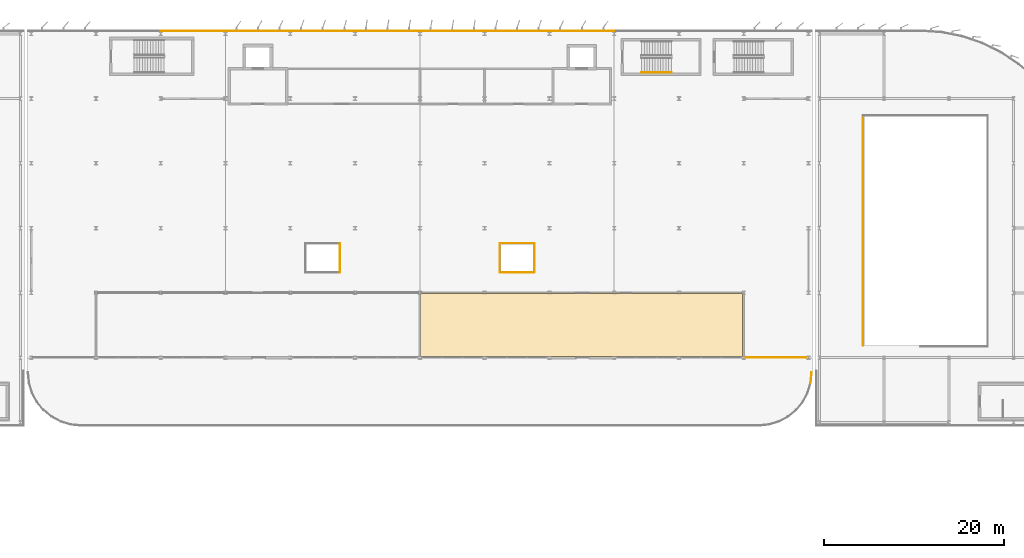
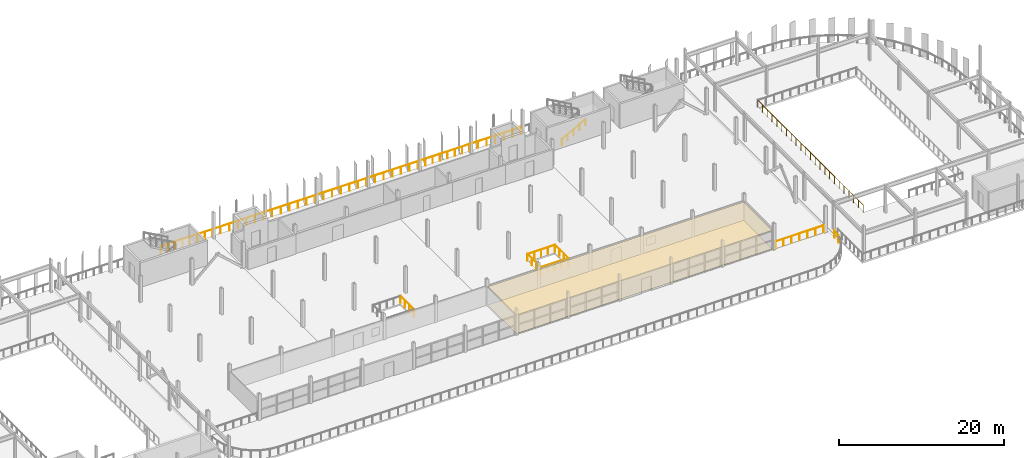
# One storey, part 38 of 40: 16 railings, 2 coverings.
"""IFC4 building model written with IfcOpenShell, lengths in metres."""

from ifc_helpers import new_model, si_unit, direction, frame, origin, origin_2d, place, context, subcontext, project, spatial, polyline, circle, outline, extrude, material, layer, layer_set, type_object, element, save


model = new_model("IFC4")

# Units and contexts
model_context = context("Model", 3, precision=1e-05, world=origin(), true_north=direction((0.0, 1.0)))
body_context = subcontext(model_context, "Body", "Model", "MODEL_VIEW")
ifc_project = project(units=[si_unit("LENGTHUNIT", "METRE"), si_unit("AREAUNIT", "SQUARE_METRE"), si_unit("VOLUMEUNIT", "CUBIC_METRE"), si_unit("PLANEANGLEUNIT", "RADIAN"), si_unit("MASSUNIT", "GRAM", prefix="KILO")], contexts=[model_context])

# Site, building, storey
site_placement = place(None, origin())
site = spatial("IfcSite", under=ifc_project, at=site_placement, CompositionType="ELEMENT")
building_placement = place(site_placement, origin())
building = spatial("IfcBuilding", under=site, at=building_placement, Name="Vaelcorin Mobility Hub", CompositionType="ELEMENT")
storey_placement = place(building_placement, frame((0.0, 0.0, 17.10009765625)))
storey = spatial("IfcBuildingStorey", under=building, at=storey_placement, Name="L04", CompositionType="ELEMENT", Elevation=17.10009765625)

# Coverings
ifc_material_1 = material(Name="Perforated acoustic mineral-fibre ceiling tile")
ifc_layer_1 = layer(ifc_material_1, 0.02392578125)
ifc_layer_set_1 = layer_set([ifc_layer_1], Name="Perforated acoustic mineral-fibre ceiling tile")
covering_type_1 = type_object("IfcCoveringType", Name="COV-CEIL-2", PredefinedType="CEILING", material=ifc_layer_set_1)
covering_1_placement = place(storey_placement, frame((0.0, 0.0, 2.712890625)))
element("IfcCovering", 1, at=covering_1_placement, inside=storey, type_object=covering_type_1, Name="Veranda Terrace Cafe Acoustic Ceiling", PredefinedType="CEILING", context=body_context, shape_type="SweptSolid", body=[
    extrude(outline(polyline([(79.340087890625, 84.139892578125), (79.333984375, 84.139892578125), (79.327880859375, 84.14111328125), (79.322998046875, 84.14306640625), (79.31689453125, 84.14501953125), (79.31201171875, 84.14697265625), (79.306884765625, 84.14990234375), (79.302001953125, 84.154052734375), (79.298095703125, 84.157958984375), (79.2939453125, 84.162109375), (79.2900390625, 84.1669921875), (79.287109375, 84.172119140625), (79.284912109375, 84.177001953125), (79.282958984375, 84.18310546875), (79.281005859375, 84.18798828125), (79.280029296875, 84.194091796875), (79.280029296875, 84.199951171875), (79.280029296875, 91.06005859375), (79.280029296875, 91.06591796875), (79.281005859375, 91.072021484375), (79.282958984375, 91.076904296875), (79.284912109375, 91.0830078125), (79.287109375, 91.087890625), (79.2900390625, 91.093017578125), (79.2939453125, 91.097900390625), (79.298095703125, 91.10205078125), (79.302001953125, 91.10595703125), (79.306884765625, 91.110107421875), (79.31201171875, 91.113037109375), (79.31689453125, 91.114990234375), (79.322998046875, 91.116943359375), (79.327880859375, 91.118896484375), (79.333984375, 91.1201171875), (79.340087890625, 91.1201171875), (115.0, 91.1201171875), (115.006103515625, 91.1201171875), (115.011962890625, 91.118896484375), (115.01708984375, 91.116943359375), (115.02294921875, 91.114990234375), (115.028076171875, 91.113037109375), (115.032958984375, 91.110107421875), (115.0380859375, 91.10595703125), (115.0419921875, 91.10205078125), (115.0458984375, 91.097900390625), (115.050048828125, 91.093017578125), (115.052978515625, 91.087890625), (115.054931640625, 91.0830078125), (115.056884765625, 91.076904296875), (115.05908203125, 91.072021484375), (115.06005859375, 91.06591796875), (115.06005859375, 91.06005859375), (115.06005859375, 84.199951171875), (115.06005859375, 84.194091796875), (115.05908203125, 84.18798828125), (115.056884765625, 84.18310546875), (115.054931640625, 84.177001953125), (115.052978515625, 84.172119140625), (115.050048828125, 84.1669921875), (115.0458984375, 84.162109375), (115.0419921875, 84.157958984375), (115.0380859375, 84.154052734375), (115.032958984375, 84.14990234375), (115.028076171875, 84.14697265625), (115.02294921875, 84.14501953125), (115.01708984375, 84.14306640625), (115.011962890625, 84.14111328125), (115.006103515625, 84.139892578125), (115.0, 84.139892578125), (79.340087890625, 84.139892578125)])), origin(), (0.0, 0.0, 1.0), 0.02392578125),
])
ifc_material_2 = material(Name="Polished epoxy-terrazzo concourse flooring")
ifc_layer_2 = layer(ifc_material_2, 0.02587890625)
ifc_layer_set_2 = layer_set([ifc_layer_2], Name="Polished epoxy-terrazzo concourse flooring")
covering_type_2 = type_object("IfcCoveringType", Name="COV-FLR-2", PredefinedType="FLOORING", material=ifc_layer_set_2)
covering_2_placement = place(storey_placement, origin())
element("IfcCovering", 2, at=covering_2_placement, inside=storey, type_object=covering_type_2, Name="Veranda Terrace Cafe Finish Flooring", PredefinedType="FLOORING", context=body_context, shape_type="SweptSolid", body=[
    extrude(outline(polyline([(79.340087890625, 84.139892578125), (79.333984375, 84.139892578125), (79.327880859375, 84.14111328125), (79.322998046875, 84.14306640625), (79.31689453125, 84.14501953125), (79.31201171875, 84.14697265625), (79.306884765625, 84.14990234375), (79.302001953125, 84.154052734375), (79.298095703125, 84.157958984375), (79.2939453125, 84.162109375), (79.2900390625, 84.1669921875), (79.287109375, 84.172119140625), (79.284912109375, 84.177001953125), (79.282958984375, 84.18310546875), (79.281005859375, 84.18798828125), (79.280029296875, 84.194091796875), (79.280029296875, 84.199951171875), (79.280029296875, 91.06005859375), (79.280029296875, 91.06591796875), (79.281005859375, 91.072021484375), (79.282958984375, 91.076904296875), (79.284912109375, 91.0830078125), (79.287109375, 91.087890625), (79.2900390625, 91.093017578125), (79.2939453125, 91.097900390625), (79.298095703125, 91.10205078125), (79.302001953125, 91.10595703125), (79.306884765625, 91.110107421875), (79.31201171875, 91.113037109375), (79.31689453125, 91.114990234375), (79.322998046875, 91.116943359375), (79.327880859375, 91.118896484375), (79.333984375, 91.1201171875), (79.340087890625, 91.1201171875), (115.0, 91.1201171875), (115.006103515625, 91.1201171875), (115.011962890625, 91.118896484375), (115.01708984375, 91.116943359375), (115.02294921875, 91.114990234375), (115.028076171875, 91.113037109375), (115.032958984375, 91.110107421875), (115.0380859375, 91.10595703125), (115.0419921875, 91.10205078125), (115.0458984375, 91.097900390625), (115.050048828125, 91.093017578125), (115.052978515625, 91.087890625), (115.054931640625, 91.0830078125), (115.056884765625, 91.076904296875), (115.05908203125, 91.072021484375), (115.06005859375, 91.06591796875), (115.06005859375, 91.06005859375), (115.06005859375, 84.199951171875), (115.06005859375, 84.194091796875), (115.05908203125, 84.18798828125), (115.056884765625, 84.18310546875), (115.054931640625, 84.177001953125), (115.052978515625, 84.172119140625), (115.050048828125, 84.1669921875), (115.0458984375, 84.162109375), (115.0419921875, 84.157958984375), (115.0380859375, 84.154052734375), (115.032958984375, 84.14990234375), (115.028076171875, 84.14697265625), (115.02294921875, 84.14501953125), (115.01708984375, 84.14306640625), (115.011962890625, 84.14111328125), (115.006103515625, 84.139892578125), (115.0, 84.139892578125), (79.340087890625, 84.139892578125)])), origin(), (0.0, 0.0, 1.0), 0.02587890625),
])

# Railings
ifc_material_3 = material(Name="Galvanised structural steel ASTM A36", Category="steel")
ifc_layer_3 = layer(ifc_material_3, 0.070068359375)
ifc_layer_set_3 = layer_set([ifc_layer_3], Name="Galvanised structural steel ASTM A36")
railing_type_1 = type_object("IfcRailingType", Name="RL-GUARD-1100", PredefinedType="BALUSTRADE", material=ifc_layer_set_3)
railing_1_placement = place(storey_placement, frame((50.39990234375, 120.330078125, 0.0)))
element("IfcRailing", 3, at=railing_1_placement, inside=storey, type_object=railing_type_1, Name="L04 Perimeter Guard GR-V4-L04-N-03-01", PredefinedType="BALUSTRADE", context=body_context, shape_type="SweptSolid", body=[
    extrude(circle(Radius=0.02392578125, at=origin_2d()), frame((0.0, 0.0, 1.076171875), z_axis=(1.0, 0.0, 0.0), x_axis=(0.0, 1.0, 0.0)), (0.0, 0.0, 1.0), 7.2001953125),
    extrude(circle(Radius=0.02099609375, at=origin_2d()), origin(), (0.0, 0.0, 1.0), 1.052001953125),
    extrude(circle(Radius=0.02099609375, at=origin_2d()), frame((1.028564453125, 0.0, 0.0)), (0.0, 0.0, 1.0), 1.052001953125),
    extrude(circle(Radius=0.02099609375, at=origin_2d()), frame((2.05712890625, 0.0, 0.0)), (0.0, 0.0, 1.0), 1.052001953125),
    extrude(circle(Radius=0.02099609375, at=origin_2d()), frame((3.085693359375, 0.0, 0.0)), (0.0, 0.0, 1.0), 1.052001953125),
    extrude(circle(Radius=0.02099609375, at=origin_2d()), frame((4.114501953125, 0.0, 0.0)), (0.0, 0.0, 1.0), 1.052001953125),
    extrude(circle(Radius=0.02099609375, at=origin_2d()), frame((5.14306640625, 0.0, 0.0)), (0.0, 0.0, 1.0), 1.052001953125),
    extrude(circle(Radius=0.02099609375, at=origin_2d()), frame((6.171630859375, 0.0, 0.0)), (0.0, 0.0, 1.0), 1.052001953125),
    extrude(circle(Radius=0.02099609375, at=origin_2d()), frame((7.2001953125, 0.0, 0.0)), (0.0, 0.0, 1.0), 1.052001953125),
])
for number, where, name in (
    (4, (57.60009765625, 120.330078125, 0.0), "L04 Perimeter Guard GR-V4-L04-N-04-01"),
    (5, (64.800048828125, 120.330078125, 0.0), "L04 Perimeter Guard GR-V4-L04-N-05-01"),
    (6, (72.0, 120.330078125, 0.0), "L04 Perimeter Guard GR-V4-L04-N-06-01"),
    (7, (79.199951171875, 120.330078125, 0.0), "L04 Perimeter Guard GR-V4-L04-N-07-01"),
):
    element("IfcRailing", number, at=place(storey_placement, frame(where)), inside=storey, type_object=railing_type_1, Name=name, PredefinedType="BALUSTRADE", context=body_context, shape_type="SweptSolid", body=[
        extrude(circle(Radius=0.02392578125, at=origin_2d()), frame((0.0, 0.0, 1.076171875), z_axis=(1.0, 0.0, 0.0), x_axis=(0.0, 1.0, 0.0)), (0.0, 0.0, 1.0), 7.199951171875),
        extrude(circle(Radius=0.02099609375, at=origin_2d()), origin(), (0.0, 0.0, 1.0), 1.052001953125),
        extrude(circle(Radius=0.02099609375, at=origin_2d()), frame((1.199951171875, 0.0, 0.0)), (0.0, 0.0, 1.0), 1.052001953125),
        extrude(circle(Radius=0.02099609375, at=origin_2d()), frame((2.39990234375, 0.0, 0.0)), (0.0, 0.0, 1.0), 1.052001953125),
        extrude(circle(Radius=0.02099609375, at=origin_2d()), frame((3.60009765625, 0.0, 0.0)), (0.0, 0.0, 1.0), 1.052001953125),
        extrude(circle(Radius=0.02099609375, at=origin_2d()), frame((4.800048828125, 0.0, 0.0)), (0.0, 0.0, 1.0), 1.052001953125),
        extrude(circle(Radius=0.02099609375, at=origin_2d()), frame((6.0, 0.0, 0.0)), (0.0, 0.0, 1.0), 1.052001953125),
        extrude(circle(Radius=0.02099609375, at=origin_2d()), frame((7.199951171875, 0.0, 0.0)), (0.0, 0.0, 1.0), 1.052001953125),
    ])
railing_2_placement = place(storey_placement, frame((86.39990234375, 120.330078125, 0.0)))
element("IfcRailing", 8, at=railing_2_placement, inside=storey, type_object=railing_type_1, Name="L04 Perimeter Guard GR-V4-L04-N-08-01", PredefinedType="BALUSTRADE", context=body_context, shape_type="SweptSolid", body=[
    extrude(circle(Radius=0.02392578125, at=origin_2d()), frame((0.0, 0.0, 1.076171875), z_axis=(1.0, 0.0, 0.0), x_axis=(0.0, 1.0, 0.0)), (0.0, 0.0, 1.0), 7.2001953125),
    extrude(circle(Radius=0.02099609375, at=origin_2d()), origin(), (0.0, 0.0, 1.0), 1.052001953125),
    extrude(circle(Radius=0.02099609375, at=origin_2d()), frame((1.028564453125, 0.0, 0.0)), (0.0, 0.0, 1.0), 1.052001953125),
    extrude(circle(Radius=0.02099609375, at=origin_2d()), frame((2.05712890625, 0.0, 0.0)), (0.0, 0.0, 1.0), 1.052001953125),
    extrude(circle(Radius=0.02099609375, at=origin_2d()), frame((3.085693359375, 0.0, 0.0)), (0.0, 0.0, 1.0), 1.052001953125),
    extrude(circle(Radius=0.02099609375, at=origin_2d()), frame((4.114501953125, 0.0, 0.0)), (0.0, 0.0, 1.0), 1.052001953125),
    extrude(circle(Radius=0.02099609375, at=origin_2d()), frame((5.14306640625, 0.0, 0.0)), (0.0, 0.0, 1.0), 1.052001953125),
    extrude(circle(Radius=0.02099609375, at=origin_2d()), frame((6.171630859375, 0.0, 0.0)), (0.0, 0.0, 1.0), 1.052001953125),
    extrude(circle(Radius=0.02099609375, at=origin_2d()), frame((7.2001953125, 0.0, 0.0)), (0.0, 0.0, 1.0), 1.052001953125),
])
railing_3_placement = place(storey_placement, frame((93.60009765625, 120.330078125, 0.0)))
element("IfcRailing", 9, at=railing_3_placement, inside=storey, type_object=railing_type_1, Name="L04 Perimeter Guard GR-V4-L04-N-09-01", PredefinedType="BALUSTRADE", context=body_context, shape_type="SweptSolid", body=[
    extrude(circle(Radius=0.02392578125, at=origin_2d()), frame((0.0, 0.0, 1.076171875), z_axis=(1.0, 0.0, 0.0), x_axis=(0.0, 1.0, 0.0)), (0.0, 0.0, 1.0), 7.199951171875),
    extrude(circle(Radius=0.02099609375, at=origin_2d()), origin(), (0.0, 0.0, 1.0), 1.052001953125),
    extrude(circle(Radius=0.02099609375, at=origin_2d()), frame((1.199951171875, 0.0, 0.0)), (0.0, 0.0, 1.0), 1.052001953125),
    extrude(circle(Radius=0.02099609375, at=origin_2d()), frame((2.39990234375, 0.0, 0.0)), (0.0, 0.0, 1.0), 1.052001953125),
    extrude(circle(Radius=0.02099609375, at=origin_2d()), frame((3.60009765625, 0.0, 0.0)), (0.0, 0.0, 1.0), 1.052001953125),
    extrude(circle(Radius=0.02099609375, at=origin_2d()), frame((4.800048828125, 0.0, 0.0)), (0.0, 0.0, 1.0), 1.052001953125),
    extrude(circle(Radius=0.02099609375, at=origin_2d()), frame((6.0, 0.0, 0.0)), (0.0, 0.0, 1.0), 1.052001953125),
    extrude(circle(Radius=0.02099609375, at=origin_2d()), frame((7.199951171875, 0.0, 0.0)), (0.0, 0.0, 1.0), 1.052001953125),
])
railing_4_placement = place(storey_placement, frame((115.449951171875, 84.0, 0.0)))
element("IfcRailing", 10, at=railing_4_placement, inside=storey, type_object=railing_type_1, Name="L04 Perimeter Guard GR-V4-L04-S-12-01", PredefinedType="BALUSTRADE", context=body_context, shape_type="SweptSolid", body=[
    extrude(circle(Radius=0.02392578125, at=origin_2d()), frame((0.0, 0.0, 1.076171875), z_axis=(1.0, 0.0, 0.0), x_axis=(0.0, 1.0, 0.0)), (0.0, 0.0, 1.0), 6.699951171875),
    extrude(circle(Radius=0.02099609375, at=origin_2d()), origin(), (0.0, 0.0, 1.0), 1.052001953125),
    extrude(circle(Radius=0.02099609375, at=origin_2d()), frame((1.11669921875, 0.0, 0.0)), (0.0, 0.0, 1.0), 1.052001953125),
    extrude(circle(Radius=0.02099609375, at=origin_2d()), frame((2.2333984375, 0.0, 0.0)), (0.0, 0.0, 1.0), 1.052001953125),
    extrude(circle(Radius=0.02099609375, at=origin_2d()), frame((3.35009765625, 0.0, 0.0)), (0.0, 0.0, 1.0), 1.052001953125),
    extrude(circle(Radius=0.02099609375, at=origin_2d()), frame((4.466552734375, 0.0, 0.0)), (0.0, 0.0, 1.0), 1.052001953125),
    extrude(circle(Radius=0.02099609375, at=origin_2d()), frame((5.583251953125, 0.0, 0.0)), (0.0, 0.0, 1.0), 1.052001953125),
    extrude(circle(Radius=0.02099609375, at=origin_2d()), frame((6.699951171875, 0.0, 0.0)), (0.0, 0.0, 1.0), 1.052001953125),
])
railing_5_placement = place(storey_placement, frame((70.320068359375, 93.47998046875, 0.0)))
element("IfcRailing", 11, at=railing_5_placement, inside=storey, type_object=railing_type_1, Name="L04 Perimeter Guard GR-V4-L04-LW1-02", PredefinedType="BALUSTRADE", context=body_context, shape_type="SweptSolid", body=[
    extrude(circle(Radius=0.02392578125, at=origin_2d()), frame((0.0, 0.0, 1.076171875), z_axis=(0.0, 1.0, 0.0), x_axis=(-1.0, 0.0, 0.0)), (0.0, 0.0, 1.0), 3.239990234375),
    extrude(circle(Radius=0.02099609375, at=origin_2d()), origin(), (0.0, 0.0, 1.0), 1.052001953125),
    extrude(circle(Radius=0.02099609375, at=origin_2d()), frame((0.0, 1.080078125, 0.0)), (0.0, 0.0, 1.0), 1.052001953125),
    extrude(circle(Radius=0.02099609375, at=origin_2d()), frame((0.0, 2.159912109375, 0.0)), (0.0, 0.0, 1.0), 1.052001953125),
    extrude(circle(Radius=0.02099609375, at=origin_2d()), frame((0.0, 3.239990234375, 0.0)), (0.0, 0.0, 1.0), 1.052001953125),
])
railing_6_placement = place(storey_placement, frame((88.080078125, 93.47998046875, 0.0)))
element("IfcRailing", 12, at=railing_6_placement, inside=storey, type_object=railing_type_1, Name="L04 Perimeter Guard GR-V4-L04-LW2-01", PredefinedType="BALUSTRADE", context=body_context, shape_type="SweptSolid", body=[
    extrude(circle(Radius=0.02392578125, at=origin_2d()), frame((0.0, 0.0, 1.076171875), z_axis=(1.0, 0.0, 0.0), x_axis=(0.0, 1.0, 0.0)), (0.0, 0.0, 1.0), 3.83984375),
    extrude(circle(Radius=0.02099609375, at=origin_2d()), origin(), (0.0, 0.0, 1.0), 1.052001953125),
    extrude(circle(Radius=0.02099609375, at=origin_2d()), frame((0.9599609375, 0.0, 0.0)), (0.0, 0.0, 1.0), 1.052001953125),
    extrude(circle(Radius=0.02099609375, at=origin_2d()), frame((1.919921875, 0.0, 0.0)), (0.0, 0.0, 1.0), 1.052001953125),
    extrude(circle(Radius=0.02099609375, at=origin_2d()), frame((2.8798828125, 0.0, 0.0)), (0.0, 0.0, 1.0), 1.052001953125),
    extrude(circle(Radius=0.02099609375, at=origin_2d()), frame((3.83984375, 0.0, 0.0)), (0.0, 0.0, 1.0), 1.052001953125),
])
railing_7_placement = place(storey_placement, frame((91.919921875, 93.47998046875, 0.0)))
element("IfcRailing", 13, at=railing_7_placement, inside=storey, type_object=railing_type_1, Name="L04 Perimeter Guard GR-V4-L04-LW2-02", PredefinedType="BALUSTRADE", context=body_context, shape_type="SweptSolid", body=[
    extrude(circle(Radius=0.02392578125, at=origin_2d()), frame((0.0, 0.0, 1.076171875), z_axis=(0.0, 1.0, 0.0), x_axis=(-1.0, 0.0, 0.0)), (0.0, 0.0, 1.0), 3.239990234375),
    extrude(circle(Radius=0.02099609375, at=origin_2d()), origin(), (0.0, 0.0, 1.0), 1.052001953125),
    extrude(circle(Radius=0.02099609375, at=origin_2d()), frame((0.0, 1.080078125, 0.0)), (0.0, 0.0, 1.0), 1.052001953125),
    extrude(circle(Radius=0.02099609375, at=origin_2d()), frame((0.0, 2.159912109375, 0.0)), (0.0, 0.0, 1.0), 1.052001953125),
    extrude(circle(Radius=0.02099609375, at=origin_2d()), frame((0.0, 3.239990234375, 0.0)), (0.0, 0.0, 1.0), 1.052001953125),
])
railing_8_placement = place(storey_placement, frame((91.919921875, 96.719970703125, 0.0)))
element("IfcRailing", 14, at=railing_8_placement, inside=storey, type_object=railing_type_1, Name="L04 Perimeter Guard GR-V4-L04-LW2-03", PredefinedType="BALUSTRADE", context=body_context, shape_type="SweptSolid", body=[
    extrude(circle(Radius=0.02392578125, at=origin_2d()), frame((0.0, 0.0, 1.076171875), z_axis=(-1.0, 0.0, 0.0), x_axis=(0.0, -1.0, 0.0)), (0.0, 0.0, 1.0), 3.83984375),
    extrude(circle(Radius=0.02099609375, at=origin_2d()), origin(), (0.0, 0.0, 1.0), 1.052001953125),
    extrude(circle(Radius=0.02099609375, at=origin_2d()), frame((-0.9599609375, 0.0, 0.0)), (0.0, 0.0, 1.0), 1.052001953125),
    extrude(circle(Radius=0.02099609375, at=origin_2d()), frame((-1.919921875, 0.0, 0.0)), (0.0, 0.0, 1.0), 1.052001953125),
    extrude(circle(Radius=0.02099609375, at=origin_2d()), frame((-2.8798828125, 0.0, 0.0)), (0.0, 0.0, 1.0), 1.052001953125),
    extrude(circle(Radius=0.02099609375, at=origin_2d()), frame((-3.83984375, 0.0, 0.0)), (0.0, 0.0, 1.0), 1.052001953125),
])
railing_9_placement = place(storey_placement, frame((88.080078125, 96.719970703125, 0.0)))
element("IfcRailing", 15, at=railing_9_placement, inside=storey, type_object=railing_type_1, Name="L04 Perimeter Guard GR-V4-L04-LW2-04", PredefinedType="BALUSTRADE", context=body_context, shape_type="SweptSolid", body=[
    extrude(circle(Radius=0.02392578125, at=origin_2d()), frame((0.0, 0.0, 1.076171875), z_axis=(0.0, -1.0, 0.0), x_axis=(1.0, 0.0, 0.0)), (0.0, 0.0, 1.0), 3.239990234375),
    extrude(circle(Radius=0.02099609375, at=origin_2d()), origin(), (0.0, 0.0, 1.0), 1.052001953125),
    extrude(circle(Radius=0.02099609375, at=origin_2d()), frame((0.0, -1.080078125, 0.0)), (0.0, 0.0, 1.0), 1.052001953125),
    extrude(circle(Radius=0.02099609375, at=origin_2d()), frame((0.0, -2.159912109375, 0.0)), (0.0, 0.0, 1.0), 1.052001953125),
    extrude(circle(Radius=0.02099609375, at=origin_2d()), frame((0.0, -3.239990234375, 0.0)), (0.0, 0.0, 1.0), 1.052001953125),
])
railing_10_placement = place(storey_placement, frame((128.47998046875, 85.340087890625, 0.0)))
element("IfcRailing", 16, at=railing_10_placement, inside=storey, type_object=railing_type_1, Name="L04 Perimeter Guard GR-V2E-L04-WELL-01", PredefinedType="BALUSTRADE", context=body_context, shape_type="SweptSolid", body=[
    extrude(circle(Radius=0.02392578125, at=origin_2d()), frame((0.0, 0.0, 1.076171875), z_axis=(0.0, 1.0, 0.0), x_axis=(-1.0, 0.0, 0.0)), (0.0, 0.0, 1.0), 25.579833984375),
    extrude(circle(Radius=0.02099609375, at=origin_2d()), origin(), (0.0, 0.0, 1.0), 1.052001953125),
    extrude(circle(Radius=0.02099609375, at=origin_2d()), frame((0.0, 1.16259765625, 0.0)), (0.0, 0.0, 1.0), 1.052001953125),
    extrude(circle(Radius=0.02099609375, at=origin_2d()), frame((0.0, 2.325439453125, 0.0)), (0.0, 0.0, 1.0), 1.052001953125),
    extrude(circle(Radius=0.02099609375, at=origin_2d()), frame((0.0, 3.488037109375, 0.0)), (0.0, 0.0, 1.0), 1.052001953125),
    extrude(circle(Radius=0.02099609375, at=origin_2d()), frame((0.0, 4.65087890625, 0.0)), (0.0, 0.0, 1.0), 1.052001953125),
    extrude(circle(Radius=0.02099609375, at=origin_2d()), frame((0.0, 5.8134765625, 0.0)), (0.0, 0.0, 1.0), 1.052001953125),
    extrude(circle(Radius=0.02099609375, at=origin_2d()), frame((0.0, 6.976318359375, 0.0)), (0.0, 0.0, 1.0), 1.052001953125),
    extrude(circle(Radius=0.02099609375, at=origin_2d()), frame((0.0, 8.13916015625, 0.0)), (0.0, 0.0, 1.0), 1.052001953125),
    extrude(circle(Radius=0.02099609375, at=origin_2d()), frame((0.0, 9.3017578125, 0.0)), (0.0, 0.0, 1.0), 1.052001953125),
    extrude(circle(Radius=0.02099609375, at=origin_2d()), frame((0.0, 10.46435546875, 0.0)), (0.0, 0.0, 1.0), 1.052001953125),
    extrude(circle(Radius=0.02099609375, at=origin_2d()), frame((0.0, 11.627197265625, 0.0)), (0.0, 0.0, 1.0), 1.052001953125),
    extrude(circle(Radius=0.02099609375, at=origin_2d()), frame((0.0, 12.7900390625, 0.0)), (0.0, 0.0, 1.0), 1.052001953125),
    extrude(circle(Radius=0.02099609375, at=origin_2d()), frame((0.0, 13.95263671875, 0.0)), (0.0, 0.0, 1.0), 1.052001953125),
    extrude(circle(Radius=0.02099609375, at=origin_2d()), frame((0.0, 15.115234375, 0.0)), (0.0, 0.0, 1.0), 1.052001953125),
    extrude(circle(Radius=0.02099609375, at=origin_2d()), frame((0.0, 16.278076171875, 0.0)), (0.0, 0.0, 1.0), 1.052001953125),
    extrude(circle(Radius=0.02099609375, at=origin_2d()), frame((0.0, 17.44091796875, 0.0)), (0.0, 0.0, 1.0), 1.052001953125),
    extrude(circle(Radius=0.02099609375, at=origin_2d()), frame((0.0, 18.603515625, 0.0)), (0.0, 0.0, 1.0), 1.052001953125),
    extrude(circle(Radius=0.02099609375, at=origin_2d()), frame((0.0, 19.76611328125, 0.0)), (0.0, 0.0, 1.0), 1.052001953125),
    extrude(circle(Radius=0.02099609375, at=origin_2d()), frame((0.0, 20.928955078125, 0.0)), (0.0, 0.0, 1.0), 1.052001953125),
    extrude(circle(Radius=0.02099609375, at=origin_2d()), frame((0.0, 22.091796875, 0.0)), (0.0, 0.0, 1.0), 1.052001953125),
    extrude(circle(Radius=0.02099609375, at=origin_2d()), frame((0.0, 23.25439453125, 0.0)), (0.0, 0.0, 1.0), 1.052001953125),
    extrude(circle(Radius=0.02099609375, at=origin_2d()), frame((0.0, 24.4169921875, 0.0)), (0.0, 0.0, 1.0), 1.052001953125),
    extrude(circle(Radius=0.02099609375, at=origin_2d()), frame((0.0, 25.579833984375, 0.0)), (0.0, 0.0, 1.0), 1.052001953125),
])
ifc_material_4 = material(Name="Anodised aluminium 6063-T6", Category="aluminium")
ifc_layer_4 = layer(ifc_material_4, 0.070068359375)
ifc_layer_set_4 = layer_set([ifc_layer_4], Name="Anodised aluminium 6063-T6")
railing_type_2 = type_object("IfcRailingType", Name="RL-GUARD-1150", PredefinedType="BALUSTRADE", material=ifc_layer_set_4)
railing_11_placement = place(storey_placement, frame((122.636962890625, 81.198974609375, 0.0)))
element("IfcRailing", 17, at=railing_11_placement, inside=storey, type_object=railing_type_2, Name="L04 Perimeter Guard GR-L04-VERANDA-17", PredefinedType="BALUSTRADE", context=body_context, shape_type="SweptSolid", body=[
    extrude(circle(Radius=0.02392578125, at=origin_2d()), frame((0.0, 0.0, 1.1259765625), z_axis=(0.097727196308, 0.99521324102, 0.0), x_axis=(-0.99521324102, 0.097727196308, 0.0)), (0.0, 0.0, 1.0), 1.15673828125),
    extrude(circle(Radius=0.02099609375, at=origin_2d()), origin(), (0.0, 0.0, 1.0), 1.101806640625),
    extrude(circle(Radius=0.02099609375, at=origin_2d()), frame((0.113037109375, 1.151123046875, 0.0)), (0.0, 0.0, 1.0), 1.101806640625),
])
ifc_material_5 = material(Name="Brushed stainless steel 316L", Category="steel")
ifc_layer_5 = layer(ifc_material_5, 0.048095703125)
ifc_layer_set_5 = layer_set([ifc_layer_5], Name="Brushed stainless steel 316L")
railing_type_3 = type_object("IfcRailingType", Name="RL-STAIR-HR", PredefinedType="HANDRAIL", material=ifc_layer_set_5)
railing_12_placement = place(storey_placement, frame((103.85009765625, 115.699951171875, 0.162353515625)))
element("IfcRailing", 18, at=railing_12_placement, inside=storey, type_object=railing_type_3, Name="L04 ST4 stair handrail 1", PredefinedType="HANDRAIL", context=body_context, shape_type="SweptSolid", body=[
    extrude(circle(Radius=0.02392578125, at=origin_2d()), frame((0.0, 0.0, 0.8759765625), z_axis=(0.879269262144, 0.0, 0.476325061958), x_axis=(0.0, 1.0, 0.0)), (0.0, 0.0, 1.0), 3.7529296875),
    extrude(circle(Radius=0.02099609375, at=origin_2d()), origin(), (0.0, 0.0, 1.0), 0.851806640625),
    extrude(circle(Radius=0.02099609375, at=origin_2d()), frame((0.824951171875, 0.0, 0.44677734375)), (0.0, 0.0, 1.0), 0.851806640625),
    extrude(circle(Radius=0.02099609375, at=origin_2d()), frame((1.64990234375, 0.0, 0.893798828125)), (0.0, 0.0, 1.0), 0.851806640625),
    extrude(circle(Radius=0.02099609375, at=origin_2d()), frame((2.474853515625, 0.0, 1.3408203125)), (0.0, 0.0, 1.0), 0.851806640625),
    extrude(circle(Radius=0.02099609375, at=origin_2d()), frame((3.2998046875, 0.0, 1.78759765625)), (0.0, 0.0, 1.0), 0.851806640625),
])

save(model, "model.ifc")
